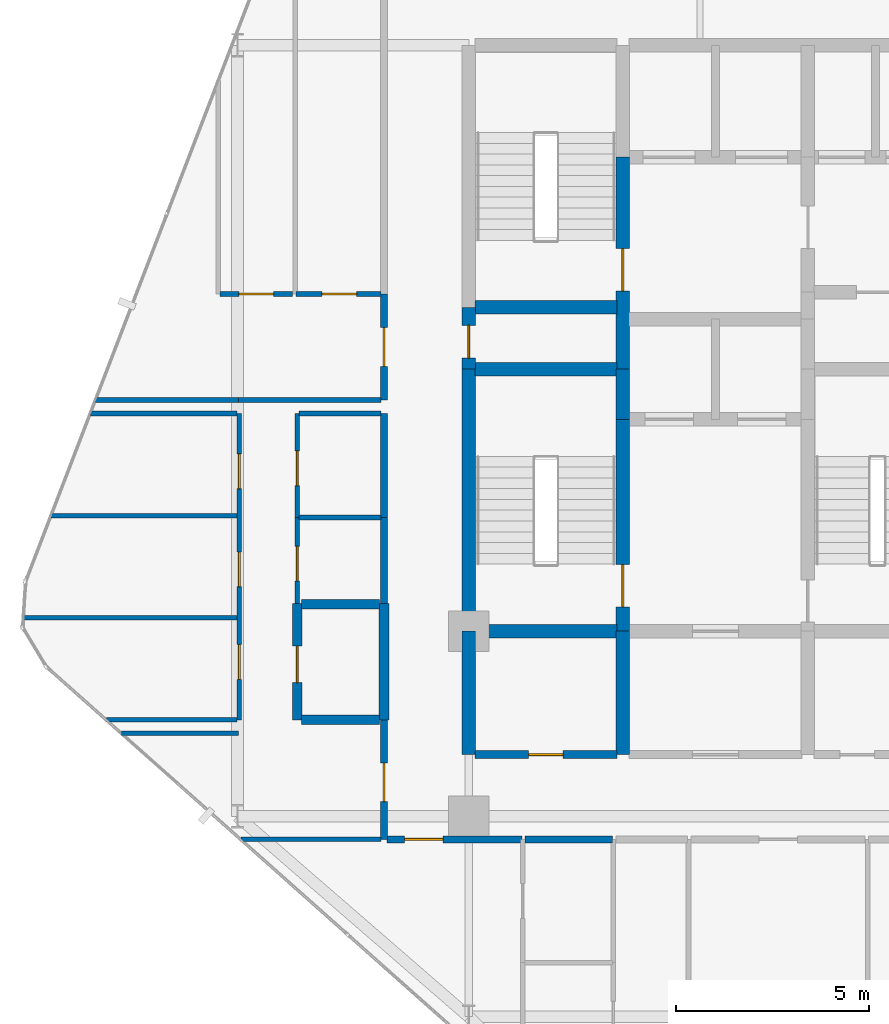
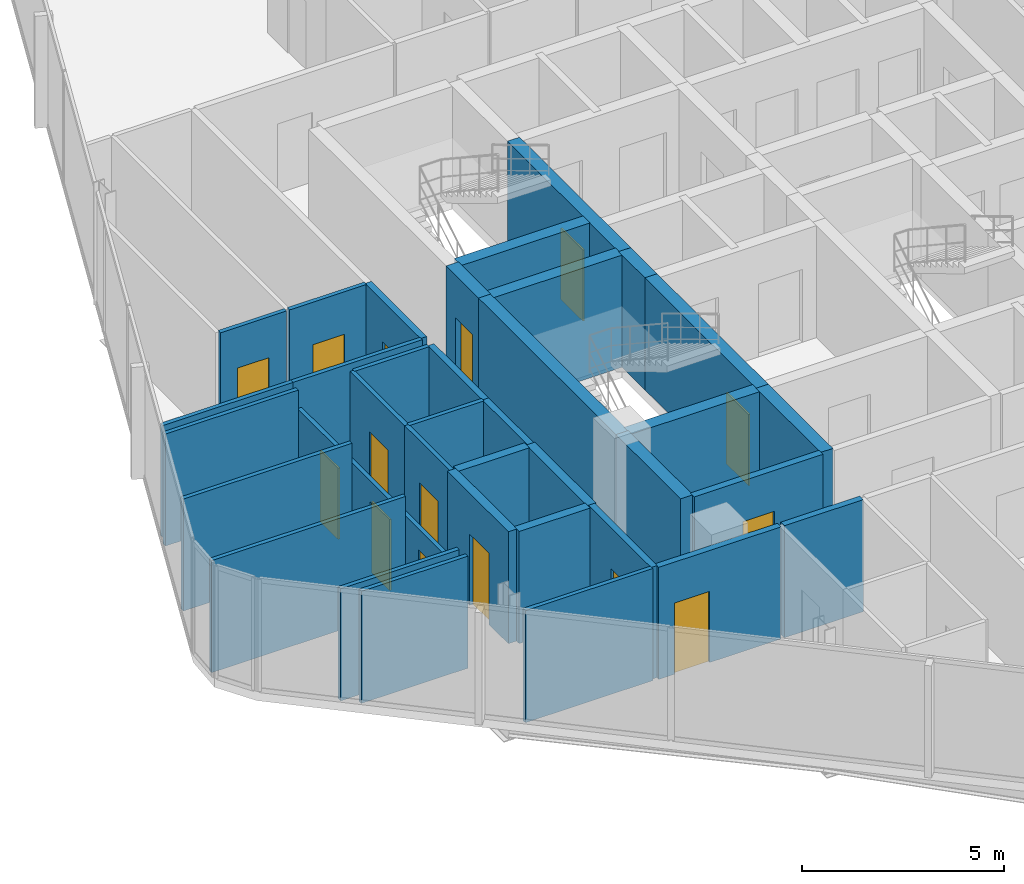
# One storey, part 23 of 29: 36 walls, 15 doors, 15 openings.
"""IFC4 building model written with IfcOpenShell, lengths in metres."""

from ifc_helpers import new_model, si_unit, direction, frame, frame_2d, origin, place, context, subcontext, project, spatial, rectangle, extrude, material, layer, layer_set, type_object, element, fill, save


model = new_model("IFC4")

# Units and contexts
model_context = context("Model", 3, precision=1e-05, world=origin(), true_north=direction((0.0, 1.0)))
body_context = subcontext(model_context, "Body", "Model", "MODEL_VIEW")
ifc_project = project(units=[si_unit("LENGTHUNIT", "METRE"), si_unit("AREAUNIT", "SQUARE_METRE"), si_unit("VOLUMEUNIT", "CUBIC_METRE"), si_unit("PLANEANGLEUNIT", "RADIAN"), si_unit("MASSUNIT", "GRAM", prefix="KILO")], contexts=[model_context])

# Site, building, storey
site_placement = place(None, origin())
site = spatial("IfcSite", under=ifc_project, at=site_placement, CompositionType="ELEMENT")
building_placement = place(site_placement, origin())
building = spatial("IfcBuilding", under=site, at=building_placement, Name="Keshet Zoharim Tower", CompositionType="ELEMENT")
storey_placement = place(building_placement, frame((0.0, 0.0, 102.0)))
storey = spatial("IfcBuildingStorey", under=building, at=storey_placement, Name="L24", CompositionType="ELEMENT", Elevation=102.0)

# Walls
ifc_material_1 = material(Name="Concrete C60/75", Category="concrete")
ifc_layer_1 = layer(ifc_material_1, 0.35009765625)
ifc_layer_set_1 = layer_set([ifc_layer_1], Name="Concrete C60/75")
wall_type_1 = type_object("IfcWallType", Name="WL-CORE-350", PredefinedType="SHEAR", material=ifc_layer_set_1)
wall_1_placement = place(storey_placement, frame((15.0, 19.5, 0.0), z_axis=(0.0, 0.0, 1.0), x_axis=(0.0, 1.0, 0.0)))
element("IfcWall", 1, at=wall_1_placement, inside=storey, type_object=wall_type_1, Name="L24 Core Shear Wall 013", PredefinedType="SHEAR", context=body_context, shape_type="SweptSolid", body=[
    extrude(rectangle(XDim=3.199951171875, YDim=0.35009765625, at=frame_2d((1.60009765625, 0.0))), origin(), (0.0, 0.0, 1.0), 3.385009765625),
])
wall_2_placement = place(storey_placement, frame((15.0, 22.699951171875, 0.0), z_axis=(0.0, 0.0, 1.0), x_axis=(0.0, 1.0, 0.0)))
element("IfcWall", 2, at=wall_2_placement, inside=storey, type_object=wall_type_1, Name="L24 Core Shear Wall 014", PredefinedType="SHEAR", context=body_context, shape_type="SweptSolid", body=[
    extrude(rectangle(XDim=6.800048828125, YDim=0.35009765625, at=frame_2d((3.39990234375, 0.0))), origin(), (0.0, 0.0, 1.0), 3.385009765625),
])

# Wall, opening, door
wall_3_placement = place(storey_placement, frame((15.0, 29.5, 0.0), z_axis=(0.0, 0.0, 1.0), x_axis=(0.0, 1.0, 0.0)))
wall_3 = element("IfcWall", 3, at=wall_3_placement, inside=storey, type_object=wall_type_1, Name="L24 Core Shear Wall 015", PredefinedType="SHEAR", context=body_context, shape_type="SweptSolid", body=[
    extrude(rectangle(XDim=1.60009765625, YDim=0.35009765625, at=frame_2d((0.800048828125, 0.0))), origin(), (0.0, 0.0, 1.0), 3.385009765625),
])
opening_1_placement = place(wall_3_placement, frame((0.287109375, 0.0, 0.0)))
opening_1 = element("IfcOpeningElement", 4, at=opening_1_placement, cuts=wall_3, Name="Opening D-RS85", PredefinedType="OPENING", context=body_context, shape_type="SweptSolid", body=[
    extrude(rectangle(XDim=0.85009765625, YDim=2.10009765625, at=frame_2d((0.425048828125, 1.050048828125))), frame((0.0, 0.18505859375, 0.0), z_axis=(0.0, -1.0, 0.0), x_axis=(1.0, 0.0, 0.0)), (0.0, 0.0, 1.0), 0.3701171875),
])
ifc_material_2 = material(Name="Hardwood Timber", Category="wood")
door_type_1 = type_object("IfcDoorType", Name="DR-RIS-085", OperationType="NOTDEFINED", PredefinedType="DOOR", material=ifc_material_2)
door_1_placement = place(opening_1_placement, origin())
door_1 = element("IfcDoor", 5, at=door_1_placement, inside=storey, type_object=door_type_1, Name="L24 Electrical Riser Access Cupboard Door", OperationType="SINGLE_SWING_LEFT", OverallHeight=2.10009765625, OverallWidth=0.85009765625, PredefinedType="DOOR", context=body_context, shape_type="SweptSolid", body=[
    extrude(rectangle(XDim=0.85009765625, YDim=2.10009765625, at=frame_2d((0.425048828125, 1.050048828125))), frame((0.0, 0.02490234375, 0.0), z_axis=(0.0, -1.0, 0.0), x_axis=(1.0, 0.0, 0.0)), (0.0, 0.0, 1.0), 0.050048828125),
])
fill(opening_1, door_1)

# Wall
wall_4_placement = place(storey_placement, frame((19.0, 19.5, 0.0), z_axis=(0.0, 0.0, 1.0), x_axis=(0.0, 1.0, 0.0)))
element("IfcWall", 6, at=wall_4_placement, inside=storey, type_object=wall_type_1, Name="L24 Core Shear Wall 023", PredefinedType="SHEAR", context=body_context, shape_type="SweptSolid", body=[
    extrude(rectangle(XDim=3.199951171875, YDim=0.35009765625, at=frame_2d((1.60009765625, 0.0))), origin(), (0.0, 0.0, 1.0), 3.385009765625),
])

# Wall, opening, door
wall_5_placement = place(storey_placement, frame((19.0, 22.699951171875, 0.0), z_axis=(0.0, 0.0, 1.0), x_axis=(0.0, 1.0, 0.0)))
wall_5 = element("IfcWall", 7, at=wall_5_placement, inside=storey, type_object=wall_type_1, Name="L24 Core Shear Wall 024", PredefinedType="SHEAR", context=body_context, shape_type="SweptSolid", body=[
    extrude(rectangle(XDim=5.5, YDim=0.35009765625, at=frame_2d((2.75, 0.0))), origin(), (0.0, 0.0, 1.0), 3.385009765625),
])
opening_2_placement = place(wall_5_placement, frame((0.631103515625, 0.0, 0.0)))
opening_2 = element("IfcOpeningElement", 8, at=opening_2_placement, cuts=wall_5, Name="Opening D-F611", PredefinedType="OPENING", context=body_context, shape_type="SweptSolid", body=[
    extrude(rectangle(XDim=1.10009765625, YDim=2.14990234375, at=frame_2d((0.550048828125, 1.074951171875))), frame((0.0, 0.18505859375, 0.0), z_axis=(0.0, -1.0, 0.0), x_axis=(1.0, 0.0, 0.0)), (0.0, 0.0, 1.0), 0.3701171875),
])
door_type_2 = type_object("IfcDoorType", Name="DR-FD60-110", OperationType="NOTDEFINED", PredefinedType="DOOR", material=ifc_material_2)
door_2_placement = place(opening_2_placement, origin())
door_2 = element("IfcDoor", 9, at=door_2_placement, inside=storey, type_object=door_type_2, Name="L24 Exit Stair ST-01 Fire Door", OperationType="SINGLE_SWING_LEFT", OverallHeight=2.14990234375, OverallWidth=1.10009765625, PredefinedType="DOOR", context=body_context, shape_type="SweptSolid", body=[
    extrude(rectangle(XDim=1.10009765625, YDim=2.14990234375, at=frame_2d((0.550048828125, 1.074951171875))), frame((0.0, 0.02490234375, 0.0), z_axis=(0.0, -1.0, 0.0), x_axis=(1.0, 0.0, 0.0)), (0.0, 0.0, 1.0), 0.050048828125),
])
fill(opening_2, door_2)

# Wall
wall_6_placement = place(storey_placement, frame((19.0, 28.199951171875, 0.0), z_axis=(0.0, 0.0, 1.0), x_axis=(0.0, 1.0, 0.0)))
element("IfcWall", 10, at=wall_6_placement, inside=storey, type_object=wall_type_1, Name="L24 Core Shear Wall 025", PredefinedType="SHEAR", context=body_context, shape_type="SweptSolid", body=[
    extrude(rectangle(XDim=1.300048828125, YDim=0.35009765625, at=frame_2d((0.64990234375, 0.0))), origin(), (0.0, 0.0, 1.0), 3.385009765625),
])

# Wall, opening, door
wall_7_placement = place(storey_placement, frame((19.0, 29.5, 0.0), z_axis=(0.0, 0.0, 1.0), x_axis=(0.0, 1.0, 0.0)))
wall_7 = element("IfcWall", 11, at=wall_7_placement, inside=storey, type_object=wall_type_1, Name="L24 Core Shear Wall 026", PredefinedType="SHEAR", context=body_context, shape_type="SweptSolid", body=[
    extrude(rectangle(XDim=5.5, YDim=0.35009765625, at=frame_2d((2.75, 0.0))), origin(), (0.0, 0.0, 1.0), 3.385009765625),
])
opening_3_placement = place(wall_7_placement, frame((2.02490234375, 0.0, 0.0)))
opening_3 = element("IfcOpeningElement", 12, at=opening_3_placement, cuts=wall_7, Name="Opening D-F611", PredefinedType="OPENING", context=body_context, shape_type="SweptSolid", body=[
    extrude(rectangle(XDim=1.10009765625, YDim=2.14990234375, at=frame_2d((0.550048828125, 1.074951171875))), frame((0.0, 0.18505859375, 0.0), z_axis=(0.0, -1.0, 0.0), x_axis=(1.0, 0.0, 0.0)), (0.0, 0.0, 1.0), 0.3701171875),
])
door_3_placement = place(opening_3_placement, origin())
door_3 = element("IfcDoor", 13, at=door_3_placement, inside=storey, type_object=door_type_2, Name="L24 Exit Stair ST-02 Fire Door", OperationType="SINGLE_SWING_RIGHT", OverallHeight=2.14990234375, OverallWidth=1.10009765625, PredefinedType="DOOR", context=body_context, shape_type="SweptSolid", body=[
    extrude(rectangle(XDim=1.10009765625, YDim=2.14990234375, at=frame_2d((0.550048828125, 1.074951171875))), frame((0.0, 0.02490234375, 0.0), z_axis=(0.0, -1.0, 0.0), x_axis=(1.0, 0.0, 0.0)), (0.0, 0.0, 1.0), 0.050048828125),
])
fill(opening_3, door_3)

# Walls
for number, where, z_axis, x_axis, name in (
    (14, (15.159912109375, 22.699951171875, 0.0), (0.0, 0.0, 1.0), (1.0, 0.0, 0.0), "L24 Core Shear Wall 157"),
    (15, (15.159912109375, 29.5, 0.0), (0.0, 0.0, 1.0), (1.0, 0.0, 0.0), "L24 Core Shear Wall 175"),
    (16, (15.159912109375, 31.10009765625, 0.0), (0.0, 0.0, 1.0), (1.0, 0.0, 0.0), "L24 Core Shear Wall 178"),
):
    element("IfcWall", number, at=place(storey_placement, frame(where, z_axis=z_axis, x_axis=x_axis)), inside=storey, type_object=wall_type_1, Name=name, PredefinedType="SHEAR", context=body_context, shape_type="SweptSolid", body=[
        extrude(rectangle(XDim=3.68017578125, YDim=0.35009765625, at=frame_2d((1.840087890625, 0.0))), origin(), (0.0, 0.0, 1.0), 3.385009765625),
    ])

# Wall, opening, door
ifc_material_3 = material(Name="Gypsum Plasterboard", Category="gypsum")
ifc_layer_2 = layer(ifc_material_3, 0.179931640625)
ifc_layer_set_2 = layer_set([ifc_layer_2], Name="Gypsum Plasterboard")
wall_type_2 = type_object("IfcWallType", Name="WL-CORR-180", PredefinedType="STANDARD", material=ifc_layer_set_2)
wall_8_placement = place(storey_placement, frame((12.800048828125, 17.300048828125, 0.0), z_axis=(0.0, 0.0, 1.0), x_axis=(0.0, 1.0, 0.0)))
wall_8 = element("IfcWall", 17, at=wall_8_placement, inside=storey, type_object=wall_type_2, Name="L24 Interior Wall 007", PredefinedType="STANDARD", context=body_context, shape_type="SweptSolid", body=[
    extrude(rectangle(XDim=3.099853515625, YDim=0.179931640625, at=frame_2d((1.5498046875, 0.0))), origin(), (0.0, 0.0, 1.0), 3.385009765625),
])
opening_4_placement = place(wall_8_placement, frame((0.97802734375, 0.0, 0.0)))
opening_4 = element("IfcOpeningElement", 18, at=opening_4_placement, cuts=wall_8, Name="Opening D-F310", PredefinedType="OPENING", context=body_context, shape_type="SweptSolid", body=[
    extrude(rectangle(XDim=1.0, YDim=2.14990234375, at=frame_2d((0.5, 1.074951171875))), frame((0.0, 0.10009765625, 0.0), z_axis=(0.0, -1.0, 0.0), x_axis=(1.0, 0.0, 0.0)), (0.0, 0.0, 1.0), 0.199951171875),
])
door_type_3 = type_object("IfcDoorType", Name="DR-FD30-100", OperationType="NOTDEFINED", PredefinedType="DOOR", material=ifc_material_2)
door_4_placement = place(opening_4_placement, origin())
door_4 = element("IfcDoor", 19, at=door_4_placement, inside=storey, type_object=door_type_3, Name="Apartment 2409 Entrance Door", OperationType="SINGLE_SWING_LEFT", OverallHeight=2.14990234375, OverallWidth=1.0, PredefinedType="DOOR", context=body_context, shape_type="SweptSolid", body=[
    extrude(rectangle(XDim=1.0, YDim=2.14990234375, at=frame_2d((0.5, 1.074951171875))), frame((0.0, 0.02490234375, 0.0), z_axis=(0.0, -1.0, 0.0), x_axis=(1.0, 0.0, 0.0)), (0.0, 0.0, 1.0), 0.050048828125),
])
fill(opening_4, door_4)

# Walls
wall_9_placement = place(storey_placement, frame((12.800048828125, 23.4208984375, 0.0), z_axis=(0.0, 0.0, 1.0), x_axis=(0.0, 1.0, 0.0)))
element("IfcWall", 20, at=wall_9_placement, inside=storey, type_object=wall_type_2, Name="L24 Interior Wall 009", PredefinedType="STANDARD", context=body_context, shape_type="SweptSolid", body=[
    extrude(rectangle(XDim=2.22607421875, YDim=0.179931640625, at=frame_2d((1.113037109375, 0.0))), origin(), (0.0, 0.0, 1.0), 3.385009765625),
])
wall_10_placement = place(storey_placement, frame((12.800048828125, 25.64697265625, 0.0), z_axis=(0.0, 0.0, 1.0), x_axis=(0.0, 1.0, 0.0)))
element("IfcWall", 21, at=wall_10_placement, inside=storey, type_object=wall_type_2, Name="L24 Interior Wall 010", PredefinedType="STANDARD", context=body_context, shape_type="SweptSolid", body=[
    extrude(rectangle(XDim=2.703125, YDim=0.179931640625, at=frame_2d((1.3515625, 0.0))), origin(), (0.0, 0.0, 1.0), 3.385009765625),
])

# Wall, opening, door
wall_11_placement = place(storey_placement, frame((12.800048828125, 28.699951171875, 0.0), z_axis=(0.0, 0.0, 1.0), x_axis=(0.0, 1.0, 0.0)))
wall_11 = element("IfcWall", 22, at=wall_11_placement, inside=storey, type_object=wall_type_2, Name="L24 Interior Wall 011", PredefinedType="STANDARD", context=body_context, shape_type="SweptSolid", body=[
    extrude(rectangle(XDim=2.75, YDim=0.179931640625, at=frame_2d((1.375, 0.0))), origin(), (0.0, 0.0, 1.0), 3.385009765625),
])
opening_5_placement = place(wall_11_placement, frame((0.875, 0.0, 0.0)))
opening_5 = element("IfcOpeningElement", 23, at=opening_5_placement, cuts=wall_11, Name="Opening D-F310", PredefinedType="OPENING", context=body_context, shape_type="SweptSolid", body=[
    extrude(rectangle(XDim=1.0, YDim=2.14990234375, at=frame_2d((0.5, 1.074951171875))), frame((0.0, 0.10009765625, 0.0), z_axis=(0.0, -1.0, 0.0), x_axis=(1.0, 0.0, 0.0)), (0.0, 0.0, 1.0), 0.199951171875),
])
door_5_placement = place(opening_5_placement, origin())
door_5 = element("IfcDoor", 24, at=door_5_placement, inside=storey, type_object=door_type_3, Name="Apartment 2410 Entrance Door", OperationType="SINGLE_SWING_RIGHT", OverallHeight=2.14990234375, OverallWidth=1.0, PredefinedType="DOOR", context=body_context, shape_type="SweptSolid", body=[
    extrude(rectangle(XDim=1.0, YDim=2.14990234375, at=frame_2d((0.5, 1.074951171875))), frame((0.0, 0.02490234375, 0.0), z_axis=(0.0, -1.0, 0.0), x_axis=(1.0, 0.0, 0.0)), (0.0, 0.0, 1.0), 0.050048828125),
])
fill(opening_5, door_5)

wall_12_placement = place(storey_placement, frame((12.875, 17.300048828125, 0.0), z_axis=(0.0, 0.0, 1.0), x_axis=(1.0, 0.0, 0.0)))
wall_12 = element("IfcWall", 25, at=wall_12_placement, inside=storey, type_object=wall_type_2, Name="L24 Interior Wall 135", PredefinedType="STANDARD", context=body_context, shape_type="SweptSolid", body=[
    extrude(rectangle(XDim=3.5, YDim=0.179931640625, at=frame_2d((1.75, 0.0))), origin(), (0.0, 0.0, 1.0), 3.385009765625),
])
opening_6_placement = place(wall_12_placement, frame((0.458984375, 0.0, 0.0)))
opening_6 = element("IfcOpeningElement", 26, at=opening_6_placement, cuts=wall_12, Name="Opening D-F310", PredefinedType="OPENING", context=body_context, shape_type="SweptSolid", body=[
    extrude(rectangle(XDim=1.0, YDim=2.14990234375, at=frame_2d((0.5, 1.074951171875))), frame((0.0, 0.10009765625, 0.0), z_axis=(0.0, -1.0, 0.0), x_axis=(1.0, 0.0, 0.0)), (0.0, 0.0, 1.0), 0.199951171875),
])
door_6_placement = place(opening_6_placement, origin())
door_6 = element("IfcDoor", 27, at=door_6_placement, inside=storey, type_object=door_type_3, Name="Apartment 2401 Entrance Door", OperationType="SINGLE_SWING_RIGHT", OverallHeight=2.14990234375, OverallWidth=1.0, PredefinedType="DOOR", context=body_context, shape_type="SweptSolid", body=[
    extrude(rectangle(XDim=1.0, YDim=2.14990234375, at=frame_2d((0.5, 1.074951171875))), frame((0.0, 0.02490234375, 0.0), z_axis=(0.0, -1.0, 0.0), x_axis=(1.0, 0.0, 0.0)), (0.0, 0.0, 1.0), 0.050048828125),
])
fill(opening_6, door_6)

# Wall
wall_13_placement = place(storey_placement, frame((16.465087890625, 17.300048828125, 0.0), z_axis=(0.0, 0.0, 1.0), x_axis=(1.0, 0.0, 0.0)))
element("IfcWall", 28, at=wall_13_placement, inside=storey, type_object=wall_type_2, Name="L24 Interior Wall 136", PredefinedType="STANDARD", context=body_context, shape_type="SweptSolid", body=[
    extrude(rectangle(XDim=2.260009765625, YDim=0.179931640625, at=frame_2d((1.1298828125, 0.0))), origin(), (0.0, 0.0, 1.0), 3.385009765625),
])

# Wall, opening, door
ifc_material_4 = material(Name="Concrete C50/60", Category="concrete")
ifc_layer_3 = layer(ifc_material_4, 0.199951171875)
ifc_layer_set_3 = layer_set([ifc_layer_3], Name="Concrete C50/60")
wall_type_3 = type_object("IfcWallType", Name="WL-FIRE-200", PredefinedType="STANDARD", material=ifc_layer_set_3)
wall_14_placement = place(storey_placement, frame((15.159912109375, 19.5, 0.0), z_axis=(0.0, 0.0, 1.0), x_axis=(1.0, 0.0, 0.0)))
wall_14 = element("IfcWall", 29, at=wall_14_placement, inside=storey, type_object=wall_type_3, Name="L24 Interior Wall 149", PredefinedType="STANDARD", context=body_context, shape_type="SweptSolid", body=[
    extrude(rectangle(XDim=3.68017578125, YDim=0.199951171875, at=frame_2d((1.840087890625, 0.0))), origin(), (0.0, 0.0, 1.0), 3.385009765625),
])
opening_7_placement = place(wall_14_placement, frame((1.389892578125, 0.0, 0.0)))
opening_7 = element("IfcOpeningElement", 30, at=opening_7_placement, cuts=wall_14, Name="Opening D-F690", PredefinedType="OPENING", context=body_context, shape_type="SweptSolid", body=[
    extrude(rectangle(XDim=0.89990234375, YDim=2.14990234375, at=frame_2d((0.449951171875, 1.074951171875))), frame((0.0, 0.10986328125, 0.0), z_axis=(0.0, -1.0, 0.0), x_axis=(1.0, 0.0, 0.0)), (0.0, 0.0, 1.0), 0.219970703125),
])
door_type_4 = type_object("IfcDoorType", Name="DR-FD60-090", OperationType="NOTDEFINED", PredefinedType="DOOR", material=ifc_material_2)
door_7_placement = place(opening_7_placement, origin())
door_7 = element("IfcDoor", 31, at=door_7_placement, inside=storey, type_object=door_type_4, Name="L24 Pram Store Door", OperationType="SINGLE_SWING_RIGHT", OverallHeight=2.14990234375, OverallWidth=0.89990234375, PredefinedType="DOOR", context=body_context, shape_type="SweptSolid", body=[
    extrude(rectangle(XDim=0.89990234375, YDim=2.14990234375, at=frame_2d((0.449951171875, 1.074951171875))), frame((0.0, 0.02490234375, 0.0), z_axis=(0.0, -1.0, 0.0), x_axis=(1.0, 0.0, 0.0)), (0.0, 0.0, 1.0), 0.050048828125),
])
fill(opening_7, door_7)

ifc_layer_4 = layer(ifc_material_4, 0.25)
ifc_layer_set_4 = layer_set([ifc_layer_4], Name="Concrete C50/60")
wall_type_4 = type_object("IfcWallType", Name="WL-MAMAD-250", PredefinedType="STANDARD", material=ifc_layer_set_4)
wall_15_placement = place(storey_placement, frame((10.550048828125, 20.39990234375, 0.0), z_axis=(0.0, 0.0, 1.0), x_axis=(0.0, 1.0, 0.0)))
wall_15 = element("IfcWall", 32, at=wall_15_placement, inside=storey, type_object=wall_type_4, Name="L24 Interior Wall 004", PredefinedType="STANDARD", context=body_context, shape_type="SweptSolid", body=[
    extrude(rectangle(XDim=3.02099609375, YDim=0.25, at=frame_2d((1.510498046875, 0.0))), origin(), (0.0, 0.0, 1.0), 3.385009765625),
])
opening_8_placement = place(wall_15_placement, frame((0.964111328125, 0.0, 0.0)))
opening_8 = element("IfcOpeningElement", 33, at=opening_8_placement, cuts=wall_15, Name="Opening D-F695", PredefinedType="OPENING", context=body_context, shape_type="SweptSolid", body=[
    extrude(rectangle(XDim=0.949951171875, YDim=2.14990234375, at=frame_2d((0.47509765625, 1.074951171875))), frame((0.0, 0.135009765625, 0.0), z_axis=(0.0, -1.0, 0.0), x_axis=(1.0, 0.0, 0.0)), (0.0, 0.0, 1.0), 0.27001953125),
])
door_type_5 = type_object("IfcDoorType", Name="DR-FD60-095", OperationType="NOTDEFINED", PredefinedType="DOOR", material=ifc_material_2)
door_8_placement = place(opening_8_placement, origin())
door_8 = element("IfcDoor", 34, at=door_8_placement, inside=storey, type_object=door_type_5, Name="Apartment 2409 Study and Shelter Room Door", OperationType="SINGLE_SWING_RIGHT", OverallHeight=2.14990234375, OverallWidth=0.949951171875, PredefinedType="DOOR", context=body_context, shape_type="SweptSolid", body=[
    extrude(rectangle(XDim=0.949951171875, YDim=2.14990234375, at=frame_2d((0.47509765625, 1.074951171875))), frame((0.0, 0.02490234375, 0.0), z_axis=(0.0, -1.0, 0.0), x_axis=(1.0, 0.0, 0.0)), (0.0, 0.0, 1.0), 0.050048828125),
])
fill(opening_8, door_8)

# Walls
wall_16_placement = place(storey_placement, frame((12.800048828125, 20.39990234375, 0.0), z_axis=(0.0, 0.0, 1.0), x_axis=(0.0, 1.0, 0.0)))
element("IfcWall", 35, at=wall_16_placement, inside=storey, type_object=wall_type_4, Name="L24 Interior Wall 008", PredefinedType="STANDARD", context=body_context, shape_type="SweptSolid", body=[
    extrude(rectangle(XDim=3.02099609375, YDim=0.25, at=frame_2d((1.510498046875, 0.0))), origin(), (0.0, 0.0, 1.0), 3.385009765625),
])
for number, where, z_axis, x_axis, name in (
    (36, (10.659912109375, 20.39990234375, 0.0), (0.0, 0.0, 1.0), (1.0, 0.0, 0.0), "L24 Interior Wall 156"),
    (37, (10.659912109375, 23.39990234375, 0.0), (0.0, 0.0, 1.0), (1.0, 0.0, 0.0), "L24 Interior Wall 163"),
):
    element("IfcWall", number, at=place(storey_placement, frame(where, z_axis=z_axis, x_axis=x_axis)), inside=storey, type_object=wall_type_4, Name=name, PredefinedType="STANDARD", context=body_context, shape_type="SweptSolid", body=[
        extrude(rectangle(XDim=2.030029296875, YDim=0.25, at=frame_2d((1.01513671875, 0.0))), origin(), (0.0, 0.0, 1.0), 3.385009765625),
    ])

# Wall, openings, doors
ifc_layer_5 = layer(ifc_material_3, 0.1201171875)
ifc_layer_set_5 = layer_set([ifc_layer_5], Name="Gypsum Plasterboard")
wall_type_5 = type_object("IfcWallType", Name="WL-PART-120", PredefinedType="PARTITIONING", material=ifc_layer_set_5)
wall_17_placement = place(storey_placement, frame((9.050048828125, 20.39990234375, 0.0), z_axis=(0.0, 0.0, 1.0), x_axis=(0.0, 1.0, 0.0)))
wall_17 = element("IfcWall", 38, at=wall_17_placement, inside=storey, type_object=wall_type_5, Name="L24 Interior Wall 002", PredefinedType="PARTITIONING", context=body_context, shape_type="SweptSolid", body=[
    extrude(rectangle(XDim=7.9501953125, YDim=0.1201171875, at=frame_2d((3.97509765625, 0.0))), origin(), (0.0, 0.0, 1.0), 2.784912109375),
])
opening_9_placement = place(wall_17_placement, frame((1.050048828125, 0.0, 0.0)))
opening_9 = element("IfcOpeningElement", 39, at=opening_9_placement, cuts=wall_17, Name="Opening D-IN90", PredefinedType="OPENING", context=body_context, shape_type="SweptSolid", body=[
    extrude(rectangle(XDim=0.89990234375, YDim=2.14990234375, at=frame_2d((0.449951171875, 1.074951171875))), frame((0.0, 0.070068359375, 0.0), z_axis=(0.0, -1.0, 0.0), x_axis=(1.0, 0.0, 0.0)), (0.0, 0.0, 1.0), 0.14013671875),
])
opening_10_placement = place(wall_17_placement, frame((3.455078125, 0.0, 0.0)))
opening_10 = element("IfcOpeningElement", 40, at=opening_10_placement, cuts=wall_17, Name="Opening D-IN90", PredefinedType="OPENING", context=body_context, shape_type="SweptSolid", body=[
    extrude(rectangle(XDim=0.89990234375, YDim=2.14990234375, at=frame_2d((0.449951171875, 1.074951171875))), frame((0.0, 0.070068359375, 0.0), z_axis=(0.0, -1.0, 0.0), x_axis=(1.0, 0.0, 0.0)), (0.0, 0.0, 1.0), 0.14013671875),
])
opening_11_placement = place(wall_17_placement, frame((6.0, 0.0, 0.0)))
opening_11 = element("IfcOpeningElement", 41, at=opening_11_placement, cuts=wall_17, Name="Opening D-IN90", PredefinedType="OPENING", context=body_context, shape_type="SweptSolid", body=[
    extrude(rectangle(XDim=0.89990234375, YDim=2.14990234375, at=frame_2d((0.449951171875, 1.074951171875))), frame((0.0, 0.070068359375, 0.0), z_axis=(0.0, -1.0, 0.0), x_axis=(1.0, 0.0, 0.0)), (0.0, 0.0, 1.0), 0.14013671875),
])
door_type_6 = type_object("IfcDoorType", Name="DR-INT-090", OperationType="NOTDEFINED", PredefinedType="DOOR", material=ifc_material_2)
door_9_placement = place(opening_9_placement, origin())
door_9 = element("IfcDoor", 42, at=door_9_placement, inside=storey, type_object=door_type_6, Name="Apartment 2409 Bedroom 1 Door", OperationType="SINGLE_SWING_LEFT", OverallHeight=2.14990234375, OverallWidth=0.89990234375, PredefinedType="DOOR", context=body_context, shape_type="SweptSolid", body=[
    extrude(rectangle(XDim=0.89990234375, YDim=2.14990234375, at=frame_2d((0.449951171875, 1.074951171875))), frame((0.0, 0.02490234375, 0.0), z_axis=(0.0, -1.0, 0.0), x_axis=(1.0, 0.0, 0.0)), (0.0, 0.0, 1.0), 0.050048828125),
])
fill(opening_9, door_9)
door_10_placement = place(opening_10_placement, origin())
door_10 = element("IfcDoor", 43, at=door_10_placement, inside=storey, type_object=door_type_6, Name="Apartment 2409 Bedroom 2 Door", OperationType="SINGLE_SWING_RIGHT", OverallHeight=2.14990234375, OverallWidth=0.89990234375, PredefinedType="DOOR", context=body_context, shape_type="SweptSolid", body=[
    extrude(rectangle(XDim=0.89990234375, YDim=2.14990234375, at=frame_2d((0.449951171875, 1.074951171875))), frame((0.0, 0.02490234375, 0.0), z_axis=(0.0, -1.0, 0.0), x_axis=(1.0, 0.0, 0.0)), (0.0, 0.0, 1.0), 0.050048828125),
])
fill(opening_10, door_10)
door_11_placement = place(opening_11_placement, origin())
door_11 = element("IfcDoor", 44, at=door_11_placement, inside=storey, type_object=door_type_6, Name="Apartment 2409 Bedroom 3 Door", OperationType="SINGLE_SWING_LEFT", OverallHeight=2.14990234375, OverallWidth=0.89990234375, PredefinedType="DOOR", context=body_context, shape_type="SweptSolid", body=[
    extrude(rectangle(XDim=0.89990234375, YDim=2.14990234375, at=frame_2d((0.449951171875, 1.074951171875))), frame((0.0, 0.02490234375, 0.0), z_axis=(0.0, -1.0, 0.0), x_axis=(1.0, 0.0, 0.0)), (0.0, 0.0, 1.0), 0.050048828125),
])
fill(opening_11, door_11)

# Wall, opening, door
wall_18_placement = place(storey_placement, frame((10.550048828125, 25.64697265625, 0.0), z_axis=(0.0, 0.0, 1.0), x_axis=(0.0, 1.0, 0.0)))
wall_18 = element("IfcWall", 45, at=wall_18_placement, inside=storey, type_object=wall_type_5, Name="L24 Interior Wall 006", PredefinedType="PARTITIONING", context=body_context, shape_type="SweptSolid", body=[
    extrude(rectangle(XDim=2.703125, YDim=0.1201171875, at=frame_2d((1.3515625, 0.0))), origin(), (0.0, 0.0, 1.0), 3.385009765625),
])
opening_12_placement = place(wall_18_placement, frame((0.830078125, 0.0, 0.0)))
opening_12 = element("IfcOpeningElement", 46, at=opening_12_placement, cuts=wall_18, Name="Opening D-IN90", PredefinedType="OPENING", context=body_context, shape_type="SweptSolid", body=[
    extrude(rectangle(XDim=0.89990234375, YDim=2.14990234375, at=frame_2d((0.449951171875, 1.074951171875))), frame((0.0, 0.070068359375, 0.0), z_axis=(0.0, -1.0, 0.0), x_axis=(1.0, 0.0, 0.0)), (0.0, 0.0, 1.0), 0.14013671875),
])
door_12_placement = place(opening_12_placement, origin())
door_12 = element("IfcDoor", 47, at=door_12_placement, inside=storey, type_object=door_type_6, Name="Apartment 2409 Kitchen Door", OperationType="SINGLE_SWING_RIGHT", OverallHeight=2.14990234375, OverallWidth=0.89990234375, PredefinedType="DOOR", context=body_context, shape_type="SweptSolid", body=[
    extrude(rectangle(XDim=0.89990234375, YDim=2.14990234375, at=frame_2d((0.449951171875, 1.074951171875))), frame((0.0, 0.02490234375, 0.0), z_axis=(0.0, -1.0, 0.0), x_axis=(1.0, 0.0, 0.0)), (0.0, 0.0, 1.0), 0.050048828125),
])
fill(opening_12, door_12)

# Walls
wall_19_placement = place(storey_placement, frame((9.0849609375, 17.300048828125, 0.0), z_axis=(0.0, 0.0, 1.0), x_axis=(1.0, 0.0, 0.0)))
element("IfcWall", 48, at=wall_19_placement, inside=storey, type_object=wall_type_5, Name="L24 Interior Wall 134", PredefinedType="PARTITIONING", context=body_context, shape_type="SweptSolid", body=[
    extrude(rectangle(XDim=3.64013671875, YDim=0.1201171875, at=frame_2d((1.820068359375, 0.0))), origin(), (0.0, 0.0, 1.0), 3.385009765625),
])
wall_20_placement = place(storey_placement, frame((5.990966796875, 20.050048828125, 0.0), z_axis=(0.0, 0.0, 1.0), x_axis=(1.0, 0.0, 0.0)))
element("IfcWall", 49, at=wall_20_placement, inside=storey, type_object=wall_type_5, Name="L24 Interior Wall 154", PredefinedType="PARTITIONING", context=body_context, shape_type="SweptSolid", body=[
    extrude(rectangle(XDim=3.0390625, YDim=0.1201171875, at=frame_2d((1.51953125, 0.0))), origin(), (0.0, 0.0, 1.0), 3.385009765625),
])
wall_21_placement = place(storey_placement, frame((5.596923828125, 20.39990234375, 0.0), z_axis=(0.0, 0.0, 1.0), x_axis=(1.0, 0.0, 0.0)))
element("IfcWall", 50, at=wall_21_placement, inside=storey, type_object=wall_type_5, Name="L24 Interior Wall 155", PredefinedType="PARTITIONING", context=body_context, shape_type="SweptSolid", body=[
    extrude(rectangle(XDim=3.38818359375, YDim=0.1201171875, at=frame_2d((1.694091796875, 0.0))), origin(), (0.0, 0.0, 1.0), 3.385009765625),
])
wall_22_placement = place(storey_placement, frame((3.446044921875, 23.050048828125, 0.0), z_axis=(0.0, 0.0, 1.0), x_axis=(1.0, 0.0, 0.0)))
element("IfcWall", 51, at=wall_22_placement, inside=storey, type_object=wall_type_5, Name="L24 Interior Wall 162", PredefinedType="PARTITIONING", context=body_context, shape_type="SweptSolid", body=[
    extrude(rectangle(XDim=5.5390625, YDim=0.1201171875, at=frame_2d((2.76953125, 0.0))), origin(), (0.0, 0.0, 1.0), 3.385009765625),
])
wall_23_placement = place(storey_placement, frame((4.1640625, 25.699951171875, 0.0), z_axis=(0.0, 0.0, 1.0), x_axis=(1.0, 0.0, 0.0)))
element("IfcWall", 52, at=wall_23_placement, inside=storey, type_object=wall_type_5, Name="L24 Interior Wall 166", PredefinedType="PARTITIONING", context=body_context, shape_type="SweptSolid", body=[
    extrude(rectangle(XDim=4.821044921875, YDim=0.1201171875, at=frame_2d((2.41064453125, 0.0))), origin(), (0.0, 0.0, 1.0), 3.385009765625),
])
wall_24_placement = place(storey_placement, frame((5.18310546875, 28.35009765625, 0.0), z_axis=(0.0, 0.0, 1.0), x_axis=(1.0, 0.0, 0.0)))
element("IfcWall", 53, at=wall_24_placement, inside=storey, type_object=wall_type_5, Name="L24 Interior Wall 170", PredefinedType="PARTITIONING", context=body_context, shape_type="SweptSolid", body=[
    extrude(rectangle(XDim=3.802001953125, YDim=0.1201171875, at=frame_2d((1.90087890625, 0.0))), origin(), (0.0, 0.0, 1.0), 3.385009765625),
])
wall_25_placement = place(storey_placement, frame((10.594970703125, 28.35009765625, 0.0), z_axis=(0.0, 0.0, 1.0), x_axis=(1.0, 0.0, 0.0)))
element("IfcWall", 54, at=wall_25_placement, inside=storey, type_object=wall_type_5, Name="L24 Interior Wall 171", PredefinedType="PARTITIONING", context=body_context, shape_type="SweptSolid", body=[
    extrude(rectangle(XDim=2.130126953125, YDim=0.1201171875, at=frame_2d((1.06494140625, 0.0))), origin(), (0.0, 0.0, 1.0), 3.385009765625),
])
wall_26_placement = place(storey_placement, frame((5.31689453125, 28.699951171875, 0.0), z_axis=(0.0, 0.0, 1.0), x_axis=(1.0, 0.0, 0.0)))
element("IfcWall", 55, at=wall_26_placement, inside=storey, type_object=wall_type_5, Name="L24 Interior Wall 172", PredefinedType="PARTITIONING", context=body_context, shape_type="SweptSolid", body=[
    extrude(rectangle(XDim=3.713134765625, YDim=0.1201171875, at=frame_2d((1.8564453125, 0.0))), origin(), (0.0, 0.0, 1.0), 3.385009765625),
])
wall_27_placement = place(storey_placement, frame((9.030029296875, 28.699951171875, 0.0), z_axis=(0.0, 0.0, 1.0), x_axis=(1.0, 0.0, 0.0)))
element("IfcWall", 56, at=wall_27_placement, inside=storey, type_object=wall_type_5, Name="L24 Interior Wall 173", PredefinedType="PARTITIONING", context=body_context, shape_type="SweptSolid", body=[
    extrude(rectangle(XDim=3.695068359375, YDim=0.1201171875, at=frame_2d((1.84765625, 0.0))), origin(), (0.0, 0.0, 1.0), 3.385009765625),
])

# Wall, opening, door
wall_28_placement = place(storey_placement, frame((8.544921875, 31.449951171875, 0.0), z_axis=(0.0, 0.0, 1.0), x_axis=(1.0, 0.0, 0.0)))
wall_28 = element("IfcWall", 57, at=wall_28_placement, inside=storey, type_object=wall_type_5, Name="L24 Interior Wall 179", PredefinedType="PARTITIONING", context=body_context, shape_type="SweptSolid", body=[
    extrude(rectangle(XDim=1.88818359375, YDim=0.1201171875, at=frame_2d((0.944091796875, 0.0))), origin(), (0.0, 0.0, 1.0), 3.385009765625),
])
opening_13_placement = place(wall_28_placement, frame((0.493896484375, 0.0, 0.0)))
opening_13 = element("IfcOpeningElement", 58, at=opening_13_placement, cuts=wall_28, Name="Opening D-IN90", PredefinedType="OPENING", context=body_context, shape_type="SweptSolid", body=[
    extrude(rectangle(XDim=0.89990234375, YDim=2.14990234375, at=frame_2d((0.449951171875, 1.074951171875))), frame((0.0, 0.070068359375, 0.0), z_axis=(0.0, -1.0, 0.0), x_axis=(1.0, 0.0, 0.0)), (0.0, 0.0, 1.0), 0.14013671875),
])
door_13_placement = place(opening_13_placement, origin())
door_13 = element("IfcDoor", 59, at=door_13_placement, inside=storey, type_object=door_type_6, Name="Apartment 2410 Kitchen Door", OperationType="SINGLE_SWING_LEFT", OverallHeight=2.14990234375, OverallWidth=0.89990234375, PredefinedType="DOOR", context=body_context, shape_type="SweptSolid", body=[
    extrude(rectangle(XDim=0.89990234375, YDim=2.14990234375, at=frame_2d((0.449951171875, 1.074951171875))), frame((0.0, 0.02490234375, 0.0), z_axis=(0.0, -1.0, 0.0), x_axis=(1.0, 0.0, 0.0)), (0.0, 0.0, 1.0), 0.050048828125),
])
fill(opening_13, door_13)

ifc_layer_6 = layer(ifc_material_3, 0.1201171875)
ifc_layer_set_6 = layer_set([ifc_layer_6], Name="Gypsum Plasterboard")
wall_type_6 = type_object("IfcWallType", Name="WL-WET-120", PredefinedType="PARTITIONING", material=ifc_layer_set_6)
wall_29_placement = place(storey_placement, frame((10.550048828125, 23.4208984375, 0.0), z_axis=(0.0, 0.0, 1.0), x_axis=(0.0, 1.0, 0.0)))
wall_29 = element("IfcWall", 60, at=wall_29_placement, inside=storey, type_object=wall_type_6, Name="L24 Interior Wall 005", PredefinedType="PARTITIONING", context=body_context, shape_type="SweptSolid", body=[
    extrude(rectangle(XDim=2.22607421875, YDim=0.1201171875, at=frame_2d((1.113037109375, 0.0))), origin(), (0.0, 0.0, 1.0), 3.385009765625),
])
opening_14_placement = place(wall_29_placement, frame((0.583984375, 0.0, 0.0)))
opening_14 = element("IfcOpeningElement", 61, at=opening_14_placement, cuts=wall_29, Name="Opening D-WT90", PredefinedType="OPENING", context=body_context, shape_type="SweptSolid", body=[
    extrude(rectangle(XDim=0.89990234375, YDim=2.10009765625, at=frame_2d((0.449951171875, 1.050048828125))), frame((0.0, 0.070068359375, 0.0), z_axis=(0.0, -1.0, 0.0), x_axis=(1.0, 0.0, 0.0)), (0.0, 0.0, 1.0), 0.14013671875),
])
door_type_7 = type_object("IfcDoorType", Name="DR-WET-090", OperationType="NOTDEFINED", PredefinedType="DOOR", material=ifc_material_2)
door_14_placement = place(opening_14_placement, origin())
door_14 = element("IfcDoor", 62, at=door_14_placement, inside=storey, type_object=door_type_7, Name="Apartment 2409 Bathroom Door", OperationType="SINGLE_SWING_LEFT", OverallHeight=2.10009765625, OverallWidth=0.89990234375, PredefinedType="DOOR", context=body_context, shape_type="SweptSolid", body=[
    extrude(rectangle(XDim=0.89990234375, YDim=2.10009765625, at=frame_2d((0.449951171875, 1.050048828125))), frame((0.0, 0.02490234375, 0.0), z_axis=(0.0, -1.0, 0.0), x_axis=(1.0, 0.0, 0.0)), (0.0, 0.0, 1.0), 0.050048828125),
])
fill(opening_14, door_14)

# Wall
wall_30_placement = place(storey_placement, frame((10.594970703125, 25.64990234375, 0.0), z_axis=(0.0, 0.0, 1.0), x_axis=(1.0, 0.0, 0.0)))
element("IfcWall", 63, at=wall_30_placement, inside=storey, type_object=wall_type_6, Name="L24 Interior Wall 165", PredefinedType="PARTITIONING", context=body_context, shape_type="SweptSolid", body=[
    extrude(rectangle(XDim=2.130126953125, YDim=0.1201171875, at=frame_2d((1.06494140625, 0.0))), origin(), (0.0, 0.0, 1.0), 3.385009765625),
])

# Wall, opening, door
wall_31_placement = place(storey_placement, frame((10.52294921875, 31.449951171875, 0.0), z_axis=(0.0, 0.0, 1.0), x_axis=(1.0, 0.0, 0.0)))
wall_31 = element("IfcWall", 64, at=wall_31_placement, inside=storey, type_object=wall_type_6, Name="L24 Interior Wall 180", PredefinedType="PARTITIONING", context=body_context, shape_type="SweptSolid", body=[
    extrude(rectangle(XDim=2.2021484375, YDim=0.1201171875, at=frame_2d((1.10107421875, 0.0))), origin(), (0.0, 0.0, 1.0), 3.385009765625),
])
opening_15_placement = place(wall_31_placement, frame((0.666015625, 0.0, 0.0)))
opening_15 = element("IfcOpeningElement", 65, at=opening_15_placement, cuts=wall_31, Name="Opening D-WT90", PredefinedType="OPENING", context=body_context, shape_type="SweptSolid", body=[
    extrude(rectangle(XDim=0.89990234375, YDim=2.10009765625, at=frame_2d((0.449951171875, 1.050048828125))), frame((0.0, 0.070068359375, 0.0), z_axis=(0.0, -1.0, 0.0), x_axis=(1.0, 0.0, 0.0)), (0.0, 0.0, 1.0), 0.14013671875),
])
door_15_placement = place(opening_15_placement, origin())
door_15 = element("IfcDoor", 66, at=door_15_placement, inside=storey, type_object=door_type_7, Name="Apartment 2410 Bathroom Door", OperationType="SINGLE_SWING_RIGHT", OverallHeight=2.10009765625, OverallWidth=0.89990234375, PredefinedType="DOOR", context=body_context, shape_type="SweptSolid", body=[
    extrude(rectangle(XDim=0.89990234375, YDim=2.10009765625, at=frame_2d((0.449951171875, 1.050048828125))), frame((0.0, 0.02490234375, 0.0), z_axis=(0.0, -1.0, 0.0), x_axis=(1.0, 0.0, 0.0)), (0.0, 0.0, 1.0), 0.050048828125),
])
fill(opening_15, door_15)

save(model, "model.ifc")
